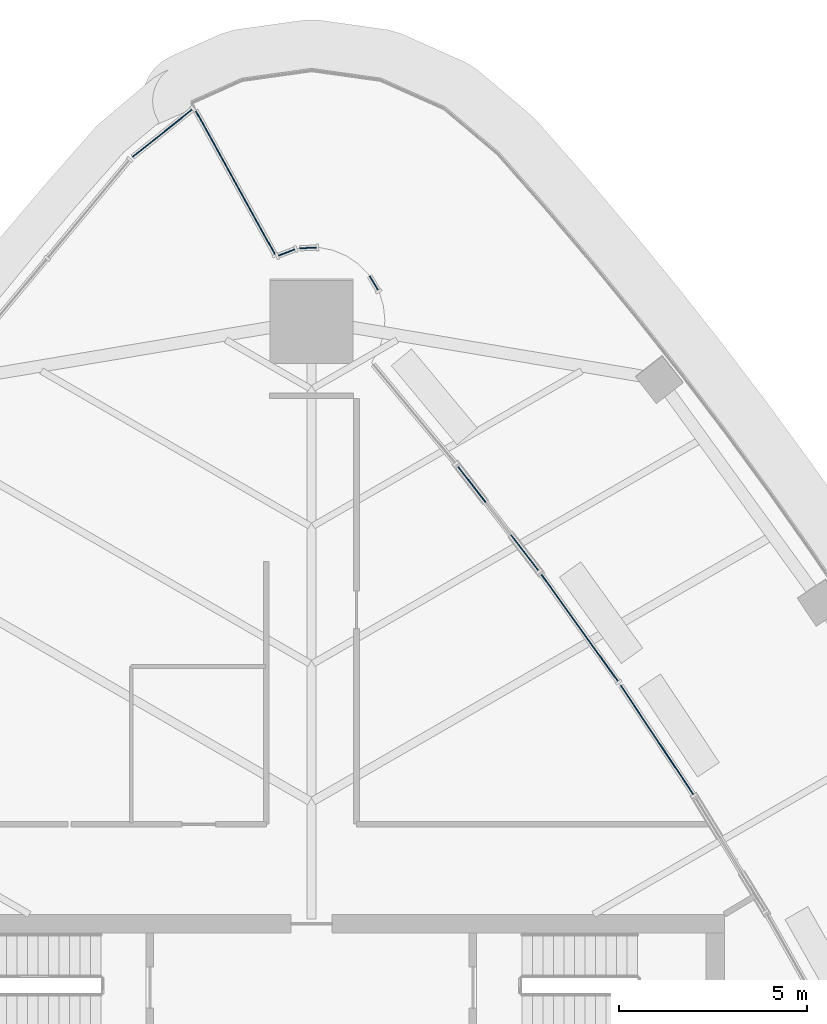
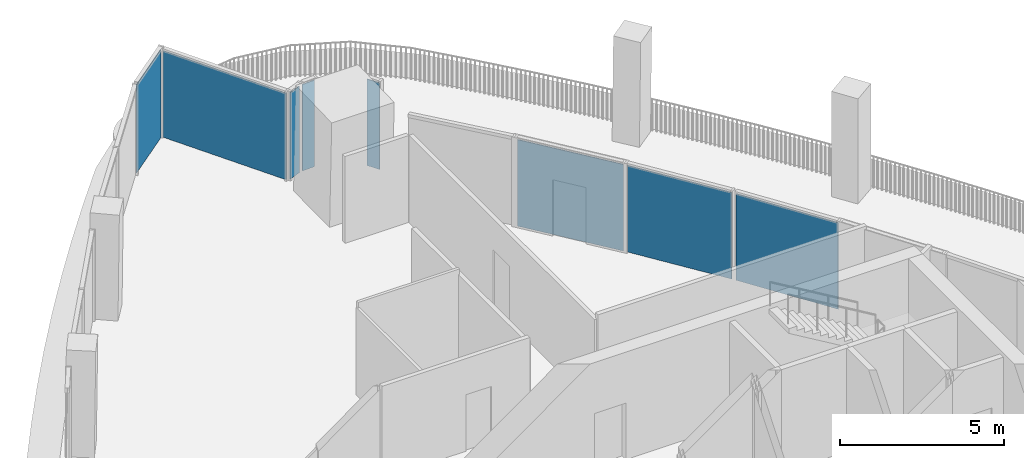
# One storey, part 9 of 18: 8 plates, 8 elements without a shape of their own.
"""IFC4 building model written with IfcOpenShell, lengths in metres."""

from ifc_helpers import new_model, si_unit, direction, frame, origin, origin_2d, place, context, subcontext, project, spatial, rectangle, extrude, material, layer, layer_set, type_object, element, aggregate, save


model = new_model("IFC4")

# Units and contexts
model_context = context("Model", 3, precision=1e-05, world=origin(), true_north=direction((0.0, 1.0)))
body_context = subcontext(model_context, "Body", "Model", "MODEL_VIEW")
ifc_project = project(units=[si_unit("LENGTHUNIT", "METRE"), si_unit("AREAUNIT", "SQUARE_METRE"), si_unit("VOLUMEUNIT", "CUBIC_METRE"), si_unit("PLANEANGLEUNIT", "RADIAN"), si_unit("MASSUNIT", "GRAM", prefix="KILO")], contexts=[model_context])

# Site, building, storey
site_placement = place(None, origin())
site = spatial("IfcSite", under=ifc_project, at=site_placement, CompositionType="ELEMENT")
building_placement = place(site_placement, origin())
building = spatial("IfcBuilding", under=site, at=building_placement, Name="Sierra Prisma Convention Tower", CompositionType="ELEMENT")
storey_placement = place(building_placement, frame((0.0, 0.0, 291.0)))
storey = spatial("IfcBuildingStorey", under=building, at=storey_placement, Name="L66", CompositionType="ELEMENT", Elevation=291.0)

# Curtain wall, plate
ifc_material_1 = material(Name="Aluminium and glass curtain wall", Category="aluminium")
ifc_layer_1 = layer(ifc_material_1, 0.179931640625)
ifc_layer_set_1 = layer_set([ifc_layer_1], Name="CW-1 Plain shaft curtain wall")
curtain_wall_type_1 = type_object("IfcCurtainWallType", Name="CW-1 Plain shaft curtain wall", PredefinedType="NOTDEFINED", material=ifc_layer_set_1)
curtain_wall_1_placement = place(storey_placement, origin())
curtain_wall_1 = element("IfcCurtainWall", 1, at=curtain_wall_1_placement, inside=storey, type_object=curtain_wall_type_1, Name="CW-1 N5 L66", PredefinedType="NOTDEFINED")
ifc_material_2 = material(Name="Tinted glass bronze-grey IGU", Category="glass")
ifc_layer_2 = layer(ifc_material_2, 0.028076171875)
ifc_layer_set_2 = layer_set([ifc_layer_2], Name="CW-1 glass panel")
plate_type_1 = type_object("IfcPlateType", Name="CW-1 glass panel", PredefinedType="CURTAIN_PANEL", material=ifc_layer_set_2)
plate_1_placement = place(storey_placement, frame((-3.970458984375, 28.797607421875, 0.0), z_axis=(0.0, 0.0, 1.0), x_axis=(-0.782222255723, -0.622999472433, 0.0)))
plate_1 = element("IfcPlate", 2, at=plate_1_placement, type_object=plate_type_1, Name="CW-1 panel N5.1", PredefinedType="CURTAIN_PANEL", context=body_context, shape_type="SweptSolid", body=[
    extrude(rectangle(XDim=2.023681640625, YDim=0.028076171875, at=origin_2d()), origin(), (0.0, 0.0, 1.0), 3.280029296875),
])
aggregate(curtain_wall_1, [plate_1])

ifc_material_3 = material(Name="Aluminium and glass curtain wall", Category="aluminium")
ifc_layer_3 = layer(ifc_material_3, 0.179931640625)
ifc_layer_set_3 = layer_set([ifc_layer_3], Name="CW-6 Terrace recess curtain wall")
curtain_wall_type_2 = type_object("IfcCurtainWallType", Name="CW-6 Terrace recess curtain wall", PredefinedType="NOTDEFINED", material=ifc_layer_set_3)
curtain_wall_2_placement = place(storey_placement, origin())
curtain_wall_2 = element("IfcCurtainWall", 3, at=curtain_wall_2_placement, inside=storey, type_object=curtain_wall_type_2, Name="CW-6 R7 L66", PredefinedType="NOTDEFINED")
ifc_material_4 = material(Name="Tinted glass bronze-grey IGU", Category="glass")
ifc_layer_4 = layer(ifc_material_4, 0.028076171875)
ifc_layer_set_4 = layer_set([ifc_layer_4], Name="CW-6 glass panel")
plate_type_2 = type_object("IfcPlateType", Name="CW-6 glass panel", PredefinedType="CURTAIN_PANEL", material=ifc_layer_set_4)
plate_2_placement = place(storey_placement, frame((9.203857421875, 12.640625, 0.0), z_axis=(0.0, 0.0, 1.0), x_axis=(-0.553400611611, 0.832915219617, 0.0)))
plate_2 = element("IfcPlate", 4, at=plate_2_placement, type_object=plate_type_2, Name="CW-6 panel R7.1", PredefinedType="CURTAIN_PANEL", context=body_context, shape_type="SweptSolid", body=[
    extrude(rectangle(XDim=3.488525390625, YDim=0.028076171875, at=origin_2d()), origin(), (0.0, 0.0, 1.0), 3.219970703125),
])
aggregate(curtain_wall_2, [plate_2])

curtain_wall_3_placement = place(storey_placement, origin())
curtain_wall_3 = element("IfcCurtainWall", 5, at=curtain_wall_3_placement, inside=storey, type_object=curtain_wall_type_2, Name="CW-6 R8 L66", PredefinedType="NOTDEFINED")
plate_3_placement = place(storey_placement, frame((7.142333984375, 15.625732421875, 0.0), z_axis=(0.0, 0.0, 1.0), x_axis=(-0.582947503127, 0.812509820616, 0.0)))
plate_3 = element("IfcPlate", 6, at=plate_3_placement, type_object=plate_type_2, Name="CW-6 panel R8.1", PredefinedType="CURTAIN_PANEL", context=body_context, shape_type="SweptSolid", body=[
    extrude(rectangle(XDim=3.488525390625, YDim=0.028076171875, at=origin_2d()), origin(), (0.0, 0.0, 1.0), 3.219970703125),
])
aggregate(curtain_wall_3, [plate_3])

curtain_wall_4_placement = place(storey_placement, origin())
curtain_wall_4 = element("IfcCurtainWall", 7, at=curtain_wall_4_placement, inside=storey, type_object=curtain_wall_type_2, Name="CW-6 R9 L66", PredefinedType="NOTDEFINED")
plate_4_placement = place(storey_placement, frame((4.974853515625, 18.53515625, 0.0), z_axis=(0.0, 0.0, 1.0), x_axis=(-0.611742742654, 0.791056772179, 0.0)))
plate_4 = element("IfcPlate", 8, at=plate_4_placement, type_object=plate_type_2, Name="CW-6 panel R9.1", PredefinedType="CURTAIN_PANEL", context=body_context, shape_type="SweptSolid", body=[
    extrude(rectangle(XDim=3.488525390625, YDim=0.028076171875, at=origin_2d()), origin(), (0.0, 0.0, 1.0), 3.219970703125),
])
aggregate(curtain_wall_4, [plate_4])

curtain_wall_5_placement = place(storey_placement, origin())
curtain_wall_5 = element("IfcCurtainWall", 9, at=curtain_wall_5_placement, inside=storey, type_object=curtain_wall_type_2, Name="CW-6 R16 L66", PredefinedType="NOTDEFINED")
plate_5_placement = place(storey_placement, frame((1.6591796875, 24.806884765625, 0.0), z_axis=(0.0, 0.0, 1.0), x_axis=(-0.514102744193, 0.85772861, 0.0)))
plate_5 = element("IfcPlate", 10, at=plate_5_placement, type_object=plate_type_2, Name="CW-6 panel R16.1", PredefinedType="CURTAIN_PANEL", context=body_context, shape_type="SweptSolid", body=[
    extrude(rectangle(XDim=0.433837890625, YDim=0.028076171875, at=origin_2d()), origin(), (0.0, 0.0, 1.0), 3.219970703125),
])
aggregate(curtain_wall_5, [plate_5])

curtain_wall_6_placement = place(storey_placement, origin())
curtain_wall_6 = element("IfcCurtainWall", 11, at=curtain_wall_6_placement, inside=storey, type_object=curtain_wall_type_2, Name="CW-6 R21 L66", PredefinedType="NOTDEFINED")
plate_6_placement = place(storey_placement, frame((-0.094970703125, 25.74462890625, 0.0), z_axis=(0.0, 0.0, 1.0), x_axis=(-0.998795456205, -0.049067674327, 0.0)))
plate_6 = element("IfcPlate", 12, at=plate_6_placement, type_object=plate_type_2, Name="CW-6 panel R21.1", PredefinedType="CURTAIN_PANEL", context=body_context, shape_type="SweptSolid", body=[
    extrude(rectangle(XDim=0.433837890625, YDim=0.028076171875, at=origin_2d()), origin(), (0.0, 0.0, 1.0), 3.219970703125),
])
aggregate(curtain_wall_6, [plate_6])

curtain_wall_7_placement = place(storey_placement, origin())
curtain_wall_7 = element("IfcCurtainWall", 13, at=curtain_wall_7_placement, inside=storey, type_object=curtain_wall_type_2, Name="CW-6 R22 L66", PredefinedType="NOTDEFINED")
plate_7_placement = place(storey_placement, frame((-0.6611328125, 25.623291015625, 0.0), z_axis=(0.0, 0.0, 1.0), x_axis=(-0.933896681429, -0.357542988207, 0.0)))
plate_7 = element("IfcPlate", 14, at=plate_7_placement, type_object=plate_type_2, Name="CW-6 panel R22.1", PredefinedType="CURTAIN_PANEL", context=body_context, shape_type="SweptSolid", body=[
    extrude(rectangle(XDim=0.458740234375, YDim=0.028076171875, at=origin_2d()), origin(), (0.0, 0.0, 1.0), 3.219970703125),
])
aggregate(curtain_wall_7, [plate_7])

curtain_wall_8_placement = place(storey_placement, origin())
curtain_wall_8 = element("IfcCurtainWall", 15, at=curtain_wall_8_placement, inside=storey, type_object=curtain_wall_type_2, Name="CW-6 RT2 L66", PredefinedType="NOTDEFINED")
plate_8_placement = place(storey_placement, frame((-2.032470703125, 27.493896484375, 0.0), z_axis=(0.0, 0.0, 1.0), x_axis=(-0.483307261026, 0.875450793272, 0.0)))
plate_8 = element("IfcPlate", 16, at=plate_8_placement, type_object=plate_type_2, Name="CW-6 panel RT2.1", PredefinedType="CURTAIN_PANEL", context=body_context, shape_type="SweptSolid", body=[
    extrude(rectangle(XDim=4.3779296875, YDim=0.028076171875, at=origin_2d()), origin(), (0.0, 0.0, 1.0), 3.219970703125),
])
aggregate(curtain_wall_8, [plate_8])

save(model, "model.ifc")
